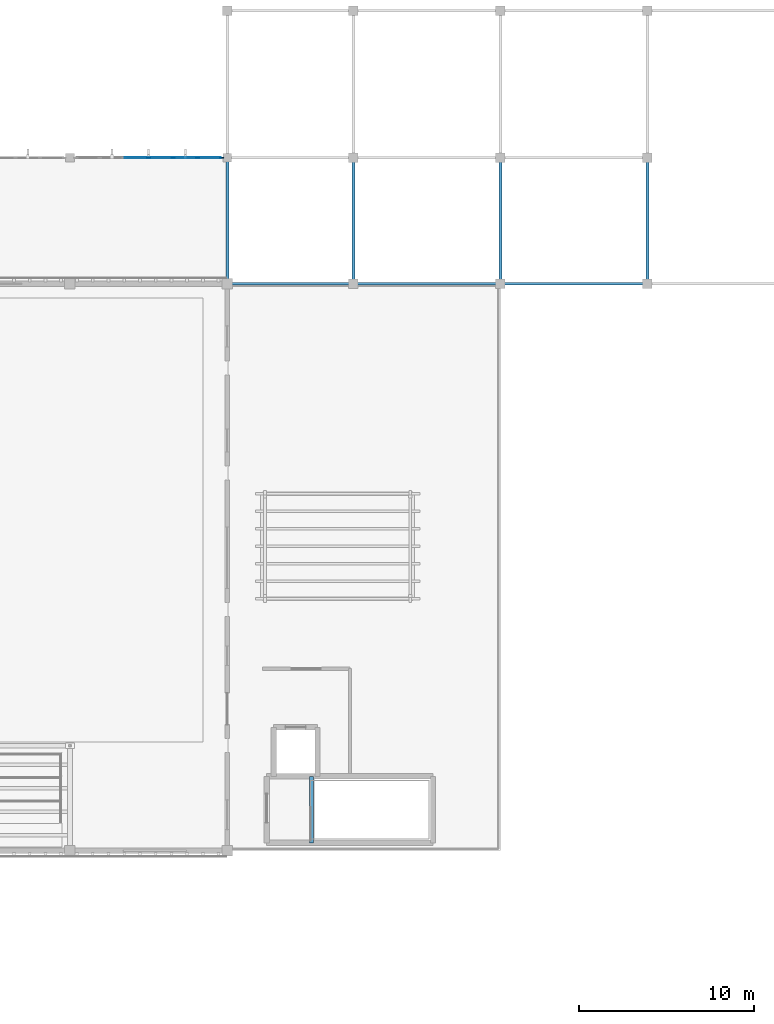
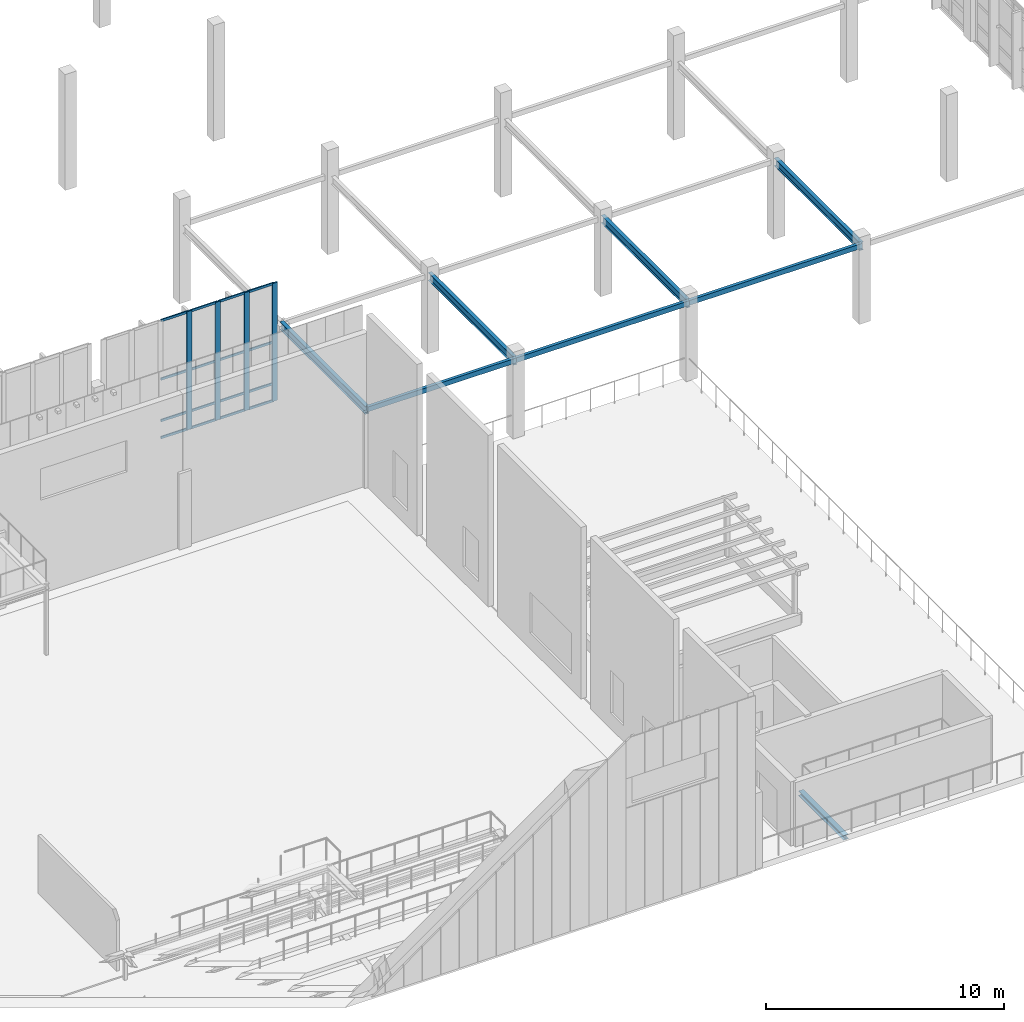
# One storey, part 27 of 67: 20 members, 8 beams, 1 element without a shape of its own.
"""IFC4 building model written with IfcOpenShell, lengths in metres."""

from ifc_helpers import new_model, si_unit, direction, frame, origin, origin_2d, place, context, subcontext, project, spatial, rectangle, hollow_rectangle, i_section, extrude, material, material_profile, profile_set, type_object, element, aggregate, save


model = new_model("IFC4")

# Units and contexts
model_context = context("Model", 3, precision=1e-05, world=origin(), true_north=direction((0.0, 1.0)))
body_context = subcontext(model_context, "Body", "Model", "MODEL_VIEW")
ifc_project = project(units=[si_unit("LENGTHUNIT", "METRE"), si_unit("AREAUNIT", "SQUARE_METRE"), si_unit("VOLUMEUNIT", "CUBIC_METRE"), si_unit("PLANEANGLEUNIT", "RADIAN"), si_unit("MASSUNIT", "GRAM", prefix="KILO")], contexts=[model_context])

# Site, building, storey
site_placement = place(None, origin())
site = spatial("IfcSite", under=ifc_project, at=site_placement, CompositionType="ELEMENT")
building_placement = place(site_placement, origin())
building = spatial("IfcBuilding", under=site, at=building_placement, Name="Tizgana Railside Sports Hall", CompositionType="ELEMENT")
storey_placement = place(building_placement, frame((0.0, 0.0, 12.0)))
storey = spatial("IfcBuildingStorey", under=building, at=storey_placement, Name="L02", CompositionType="ELEMENT", Elevation=12.0)

# Curtain wall, members
ifc_material_1 = material(Name="Anodised aluminium and glass", Category="aluminium")
curtain_wall_type = type_object("IfcCurtainWallType", Name="Unitised Curtain Wall Passage 1800", PredefinedType="NOTDEFINED", material=ifc_material_1)
curtain_wall_placement = place(storey_placement, origin())
curtain_wall = element("IfcCurtainWall", 1, at=curtain_wall_placement, inside=storey, type_object=curtain_wall_type, Name="L02 Curtain Wall CW-0029", PredefinedType="NOTDEFINED")
ifc_material_2 = material(Name="Anodised aluminium", Category="aluminium")
ifc_material_profile_1 = material_profile(ifc_material_2, rectangle(XDim=0.074951171875, YDim=0.25, at=origin_2d()), Name="Mullion 75x250")
ifc_profile_set_1 = profile_set([ifc_material_profile_1], Name="Anodised aluminium")
member_type_1 = type_object("IfcMemberType", Name="Mullion 75x250", PredefinedType="MULLION", material=ifc_profile_set_1)
member_1_placement = place(storey_placement, frame((129.300048828125, 80.39990234375, 0.0), z_axis=(0.0, 0.0, 1.0), x_axis=(0.0, 1.0, 0.0)))
member_1 = element("IfcMember", 2, at=member_1_placement, type_object=member_type_1, Name="CW-06 mullion 4", PredefinedType="MULLION", context=body_context, shape_type="SweptSolid", body=[
    extrude(rectangle(XDim=0.074951171875, YDim=0.25, at=origin_2d()), origin(), (0.0, 0.0, 1.0), 6.06005859375),
])
member_2_placement = place(storey_placement, frame((130.6982421875, 80.39990234375, 0.0), z_axis=(0.0, 0.0, 1.0), x_axis=(0.0, 1.0, 0.0)))
member_2 = element("IfcMember", 3, at=member_2_placement, type_object=member_type_1, Name="CW-06 mullion 5", PredefinedType="MULLION", context=body_context, shape_type="SweptSolid", body=[
    extrude(rectangle(XDim=0.074951171875, YDim=0.25, at=origin_2d()), origin(), (0.0, 0.0, 1.0), 6.06005859375),
])
member_3_placement = place(storey_placement, frame((132.0966796875, 80.39990234375, 0.0), z_axis=(0.0, 0.0, 1.0), x_axis=(0.0, 1.0, 0.0)))
member_3 = element("IfcMember", 4, at=member_3_placement, type_object=member_type_1, Name="CW-06 mullion 6", PredefinedType="MULLION", context=body_context, shape_type="SweptSolid", body=[
    extrude(rectangle(XDim=0.074951171875, YDim=0.25, at=origin_2d()), origin(), (0.0, 0.0, 1.0), 6.06005859375),
])
member_4_placement = place(storey_placement, frame((133.45751953125, 80.39990234375, 0.0), z_axis=(0.0, 0.0, 1.0), x_axis=(0.0, 1.0, 0.0)))
member_4 = element("IfcMember", 5, at=member_4_placement, type_object=member_type_1, Name="CW-06 mullion 7", PredefinedType="MULLION", context=body_context, shape_type="SweptSolid", body=[
    extrude(rectangle(XDim=0.074951171875, YDim=0.25, at=origin_2d()), origin(), (0.0, 0.0, 1.0), 6.06005859375),
])

# Beams
ifc_material_3 = material(Name="Steel S355J2", Category="steel")
ifc_material_profile_2 = material_profile(ifc_material_3, i_section(OverallWidth=0.239990234375, OverallDepth=0.239990234375, WebThickness=0.010009765625, FlangeThickness=0.01708984375, FilletRadius=0.02099609375, at=origin_2d()), Name="HEB 240")
ifc_profile_set_2 = profile_set([ifc_material_profile_2], Name="Steel S355J2")
beam_type_1 = type_object("IfcBeamType", Name="Steel Beam HEB 240", PredefinedType="BEAM", material=ifc_profile_set_2)
beam_1_placement = place(storey_placement, frame((138.60009765625, 41.25, -0.48193359375), z_axis=(0.0, 1.0, 0.0), x_axis=(-1.0, 0.0, 0.0)))
element("IfcBeam", 6, at=beam_1_placement, inside=storey, type_object=beam_type_1, Name="L02 C5 Landing Header", PredefinedType="BEAM", context=body_context, shape_type="SweptSolid", body=[
    extrude(i_section(OverallWidth=0.239990234375, OverallDepth=0.239990234375, WebThickness=0.010009765625, FlangeThickness=0.01708984375, FilletRadius=0.02099609375, at=origin_2d()), origin(), (0.0, 0.0, 1.0), 3.800048828125),
])
ifc_material_profile_3 = material_profile(ifc_material_3, i_section(OverallWidth=0.179931640625, OverallDepth=0.39990234375, WebThickness=0.008544921875, FlangeThickness=0.013427734375, FilletRadius=0.02099609375, at=origin_2d()), Name="IPE 400")
ifc_profile_set_3 = profile_set([ifc_material_profile_3], Name="Steel S355J2")
beam_type_2 = type_object("IfcBeamType", Name="Steel Beam IPE 400", PredefinedType="BEAM", material=ifc_profile_set_3)
for number, where, z_axis, x_axis, name in (
    (7, (133.800048828125, 73.199951171875, 3.756103515625), (0.0, 1.0, 0.0), (-1.0, 0.0, 0.0), "L02 BEM-1154"),
    (8, (141.0, 73.199951171875, 3.756103515625), (0.0, 1.0, 0.0), (-1.0, 0.0, 0.0), "L02 BEM-1158"),
    (9, (149.39990234375, 73.199951171875, 3.756103515625), (0.0, 1.0, 0.0), (-1.0, 0.0, 0.0), "L02 BEM-1162"),
    (10, (157.800048828125, 73.199951171875, 3.756103515625), (0.0, 1.0, 0.0), (-1.0, 0.0, 0.0), "L02 BEM-1166"),
):
    element("IfcBeam", number, at=place(storey_placement, frame(where, z_axis=z_axis, x_axis=x_axis)), inside=storey, type_object=beam_type_2, Name=name, PredefinedType="BEAM", context=body_context, shape_type="SweptSolid", body=[
        extrude(i_section(OverallWidth=0.179931640625, OverallDepth=0.39990234375, WebThickness=0.008544921875, FlangeThickness=0.013427734375, FilletRadius=0.02099609375, at=origin_2d()), origin(), (0.0, 0.0, 1.0), 7.199951171875),
    ])
ifc_material_profile_4 = material_profile(ifc_material_3, hollow_rectangle(XDim=0.14990234375, YDim=0.25, WallThickness=0.010009765625, at=origin_2d()), Name="RHS 250x150x10")
ifc_profile_set_4 = profile_set([ifc_material_profile_4], Name="Steel S355J2")
beam_type_3 = type_object("IfcBeamType", Name="Steel Spandrel RHS 250x150x10", PredefinedType="SPANDREL", material=ifc_profile_set_4)
beam_2_placement = place(storey_placement, frame((133.800048828125, 73.199951171875, 3.8310546875), z_axis=(1.0, 0.0, 0.0), x_axis=(0.0, 1.0, 0.0)))
element("IfcBeam", 11, at=beam_2_placement, inside=storey, type_object=beam_type_3, Name="L02 BEM-1174", PredefinedType="SPANDREL", context=body_context, shape_type="SweptSolid", body=[
    extrude(hollow_rectangle(XDim=0.14990234375, YDim=0.25, WallThickness=0.010009765625, at=origin_2d()), origin(), (0.0, 0.0, 1.0), 7.199951171875),
])
beam_3_placement = place(storey_placement, frame((141.0, 73.199951171875, 3.8310546875), z_axis=(1.0, 0.0, 0.0), x_axis=(0.0, 1.0, 0.0)))
element("IfcBeam", 12, at=beam_3_placement, inside=storey, type_object=beam_type_3, Name="L02 BEM-1180", PredefinedType="SPANDREL", context=body_context, shape_type="SweptSolid", body=[
    extrude(hollow_rectangle(XDim=0.14990234375, YDim=0.25, WallThickness=0.010009765625, at=origin_2d()), origin(), (0.0, 0.0, 1.0), 8.39990234375),
])
beam_4_placement = place(storey_placement, frame((149.39990234375, 73.199951171875, 3.8310546875), z_axis=(1.0, 0.0, 0.0), x_axis=(0.0, 1.0, 0.0)))
element("IfcBeam", 13, at=beam_4_placement, inside=storey, type_object=beam_type_3, Name="L02 BEM-1186", PredefinedType="SPANDREL", context=body_context, shape_type="SweptSolid", body=[
    extrude(hollow_rectangle(XDim=0.14990234375, YDim=0.25, WallThickness=0.010009765625, at=origin_2d()), origin(), (0.0, 0.0, 1.0), 8.400146484375),
])

# Member
ifc_material_profile_5 = material_profile(ifc_material_2, rectangle(XDim=0.054931640625, YDim=0.1201171875, at=origin_2d()), Name="Transom 55x120")
ifc_profile_set_5 = profile_set([ifc_material_profile_5], Name="Anodised aluminium")
member_type_2 = type_object("IfcMemberType", Name="Transom 55x120", PredefinedType="USERDEFINED", material=ifc_profile_set_5)
member_5_placement = place(storey_placement, frame((127.939208984375, 80.39990234375, 0.027587890625), z_axis=(1.0, 0.0, 0.0), x_axis=(0.0, 1.0, 0.0)))
member_5 = element("IfcMember", 14, at=member_5_placement, type_object=member_type_2, Name="CW-06 transom 3.1", ObjectType="TRANSOM", PredefinedType="USERDEFINED", context=body_context, shape_type="SweptSolid", body=[
    extrude(rectangle(XDim=0.054931640625, YDim=0.1201171875, at=origin_2d()), origin(), (0.0, 0.0, 1.0), 1.3232421875),
])

member_6_placement = place(storey_placement, frame((127.939208984375, 80.39990234375, 0.89990234375), z_axis=(1.0, 0.0, 0.0), x_axis=(0.0, 1.0, 0.0)))
member_6 = element("IfcMember", 15, at=member_6_placement, type_object=member_type_2, Name="CW-06 transom 3.2", ObjectType="TRANSOM", PredefinedType="USERDEFINED", context=body_context, shape_type="SweptSolid", body=[
    extrude(rectangle(XDim=0.054931640625, YDim=0.1201171875, at=origin_2d()), origin(), (0.0, 0.0, 1.0), 1.3232421875),
])

member_7_placement = place(storey_placement, frame((127.939208984375, 80.39990234375, 3.030029296875), z_axis=(1.0, 0.0, 0.0), x_axis=(0.0, 1.0, 0.0)))
member_7 = element("IfcMember", 16, at=member_7_placement, type_object=member_type_2, Name="CW-06 transom 3.3", ObjectType="TRANSOM", PredefinedType="USERDEFINED", context=body_context, shape_type="SweptSolid", body=[
    extrude(rectangle(XDim=0.054931640625, YDim=0.1201171875, at=origin_2d()), origin(), (0.0, 0.0, 1.0), 1.3232421875),
])

member_8_placement = place(storey_placement, frame((127.939208984375, 80.39990234375, 6.032470703125), z_axis=(1.0, 0.0, 0.0), x_axis=(0.0, 1.0, 0.0)))
member_8 = element("IfcMember", 17, at=member_8_placement, type_object=member_type_2, Name="CW-06 transom 3.4", ObjectType="TRANSOM", PredefinedType="USERDEFINED", context=body_context, shape_type="SweptSolid", body=[
    extrude(rectangle(XDim=0.054931640625, YDim=0.1201171875, at=origin_2d()), origin(), (0.0, 0.0, 1.0), 1.3232421875),
])

member_9_placement = place(storey_placement, frame((129.33740234375, 80.39990234375, 0.027587890625), z_axis=(1.0, 0.0, 0.0), x_axis=(0.0, 1.0, 0.0)))
member_9 = element("IfcMember", 18, at=member_9_placement, type_object=member_type_2, Name="CW-06 transom 4.1", ObjectType="TRANSOM", PredefinedType="USERDEFINED", context=body_context, shape_type="SweptSolid", body=[
    extrude(rectangle(XDim=0.054931640625, YDim=0.1201171875, at=origin_2d()), origin(), (0.0, 0.0, 1.0), 1.323486328125),
])

member_10_placement = place(storey_placement, frame((129.33740234375, 80.39990234375, 0.89990234375), z_axis=(1.0, 0.0, 0.0), x_axis=(0.0, 1.0, 0.0)))
member_10 = element("IfcMember", 19, at=member_10_placement, type_object=member_type_2, Name="CW-06 transom 4.2", ObjectType="TRANSOM", PredefinedType="USERDEFINED", context=body_context, shape_type="SweptSolid", body=[
    extrude(rectangle(XDim=0.054931640625, YDim=0.1201171875, at=origin_2d()), origin(), (0.0, 0.0, 1.0), 1.323486328125),
])

member_11_placement = place(storey_placement, frame((129.33740234375, 80.39990234375, 3.030029296875), z_axis=(1.0, 0.0, 0.0), x_axis=(0.0, 1.0, 0.0)))
member_11 = element("IfcMember", 20, at=member_11_placement, type_object=member_type_2, Name="CW-06 transom 4.3", ObjectType="TRANSOM", PredefinedType="USERDEFINED", context=body_context, shape_type="SweptSolid", body=[
    extrude(rectangle(XDim=0.054931640625, YDim=0.1201171875, at=origin_2d()), origin(), (0.0, 0.0, 1.0), 1.323486328125),
])

member_12_placement = place(storey_placement, frame((129.33740234375, 80.39990234375, 6.032470703125), z_axis=(1.0, 0.0, 0.0), x_axis=(0.0, 1.0, 0.0)))
member_12 = element("IfcMember", 21, at=member_12_placement, type_object=member_type_2, Name="CW-06 transom 4.4", ObjectType="TRANSOM", PredefinedType="USERDEFINED", context=body_context, shape_type="SweptSolid", body=[
    extrude(rectangle(XDim=0.054931640625, YDim=0.1201171875, at=origin_2d()), origin(), (0.0, 0.0, 1.0), 1.323486328125),
])

member_13_placement = place(storey_placement, frame((130.73583984375, 80.39990234375, 0.027587890625), z_axis=(1.0, 0.0, 0.0), x_axis=(0.0, 1.0, 0.0)))
member_13 = element("IfcMember", 22, at=member_13_placement, type_object=member_type_2, Name="CW-06 transom 5.1", ObjectType="TRANSOM", PredefinedType="USERDEFINED", context=body_context, shape_type="SweptSolid", body=[
    extrude(rectangle(XDim=0.054931640625, YDim=0.1201171875, at=origin_2d()), origin(), (0.0, 0.0, 1.0), 1.3232421875),
])

member_14_placement = place(storey_placement, frame((130.73583984375, 80.39990234375, 0.89990234375), z_axis=(1.0, 0.0, 0.0), x_axis=(0.0, 1.0, 0.0)))
member_14 = element("IfcMember", 23, at=member_14_placement, type_object=member_type_2, Name="CW-06 transom 5.2", ObjectType="TRANSOM", PredefinedType="USERDEFINED", context=body_context, shape_type="SweptSolid", body=[
    extrude(rectangle(XDim=0.054931640625, YDim=0.1201171875, at=origin_2d()), origin(), (0.0, 0.0, 1.0), 1.3232421875),
])

member_15_placement = place(storey_placement, frame((130.73583984375, 80.39990234375, 3.030029296875), z_axis=(1.0, 0.0, 0.0), x_axis=(0.0, 1.0, 0.0)))
member_15 = element("IfcMember", 24, at=member_15_placement, type_object=member_type_2, Name="CW-06 transom 5.3", ObjectType="TRANSOM", PredefinedType="USERDEFINED", context=body_context, shape_type="SweptSolid", body=[
    extrude(rectangle(XDim=0.054931640625, YDim=0.1201171875, at=origin_2d()), origin(), (0.0, 0.0, 1.0), 1.3232421875),
])

member_16_placement = place(storey_placement, frame((130.73583984375, 80.39990234375, 6.032470703125), z_axis=(1.0, 0.0, 0.0), x_axis=(0.0, 1.0, 0.0)))
member_16 = element("IfcMember", 25, at=member_16_placement, type_object=member_type_2, Name="CW-06 transom 5.4", ObjectType="TRANSOM", PredefinedType="USERDEFINED", context=body_context, shape_type="SweptSolid", body=[
    extrude(rectangle(XDim=0.054931640625, YDim=0.1201171875, at=origin_2d()), origin(), (0.0, 0.0, 1.0), 1.3232421875),
])

member_17_placement = place(storey_placement, frame((132.13427734375, 80.39990234375, 0.027587890625), z_axis=(1.0, 0.0, 0.0), x_axis=(0.0, 1.0, 0.0)))
member_17 = element("IfcMember", 26, at=member_17_placement, type_object=member_type_2, Name="CW-06 transom 6.1", ObjectType="TRANSOM", PredefinedType="USERDEFINED", context=body_context, shape_type="SweptSolid", body=[
    extrude(rectangle(XDim=0.054931640625, YDim=0.1201171875, at=origin_2d()), origin(), (0.0, 0.0, 1.0), 1.28564453125),
])

member_18_placement = place(storey_placement, frame((132.13427734375, 80.39990234375, 0.89990234375), z_axis=(1.0, 0.0, 0.0), x_axis=(0.0, 1.0, 0.0)))
member_18 = element("IfcMember", 27, at=member_18_placement, type_object=member_type_2, Name="CW-06 transom 6.2", ObjectType="TRANSOM", PredefinedType="USERDEFINED", context=body_context, shape_type="SweptSolid", body=[
    extrude(rectangle(XDim=0.054931640625, YDim=0.1201171875, at=origin_2d()), origin(), (0.0, 0.0, 1.0), 1.28564453125),
])

member_19_placement = place(storey_placement, frame((132.13427734375, 80.39990234375, 3.030029296875), z_axis=(1.0, 0.0, 0.0), x_axis=(0.0, 1.0, 0.0)))
member_19 = element("IfcMember", 28, at=member_19_placement, type_object=member_type_2, Name="CW-06 transom 6.3", ObjectType="TRANSOM", PredefinedType="USERDEFINED", context=body_context, shape_type="SweptSolid", body=[
    extrude(rectangle(XDim=0.054931640625, YDim=0.1201171875, at=origin_2d()), origin(), (0.0, 0.0, 1.0), 1.28564453125),
])

member_20_placement = place(storey_placement, frame((132.13427734375, 80.39990234375, 6.032470703125), z_axis=(1.0, 0.0, 0.0), x_axis=(0.0, 1.0, 0.0)))
member_20 = element("IfcMember", 29, at=member_20_placement, type_object=member_type_2, Name="CW-06 transom 6.4", ObjectType="TRANSOM", PredefinedType="USERDEFINED", context=body_context, shape_type="SweptSolid", body=[
    extrude(rectangle(XDim=0.054931640625, YDim=0.1201171875, at=origin_2d()), origin(), (0.0, 0.0, 1.0), 1.28564453125),
])

aggregate(curtain_wall, [member_1, member_2, member_3, member_4, member_5, member_6, member_7, member_8, member_9, member_10, member_11, member_12, member_13, member_14, member_15, member_16, member_17, member_18, member_19, member_20])

save(model, "model.ifc")
